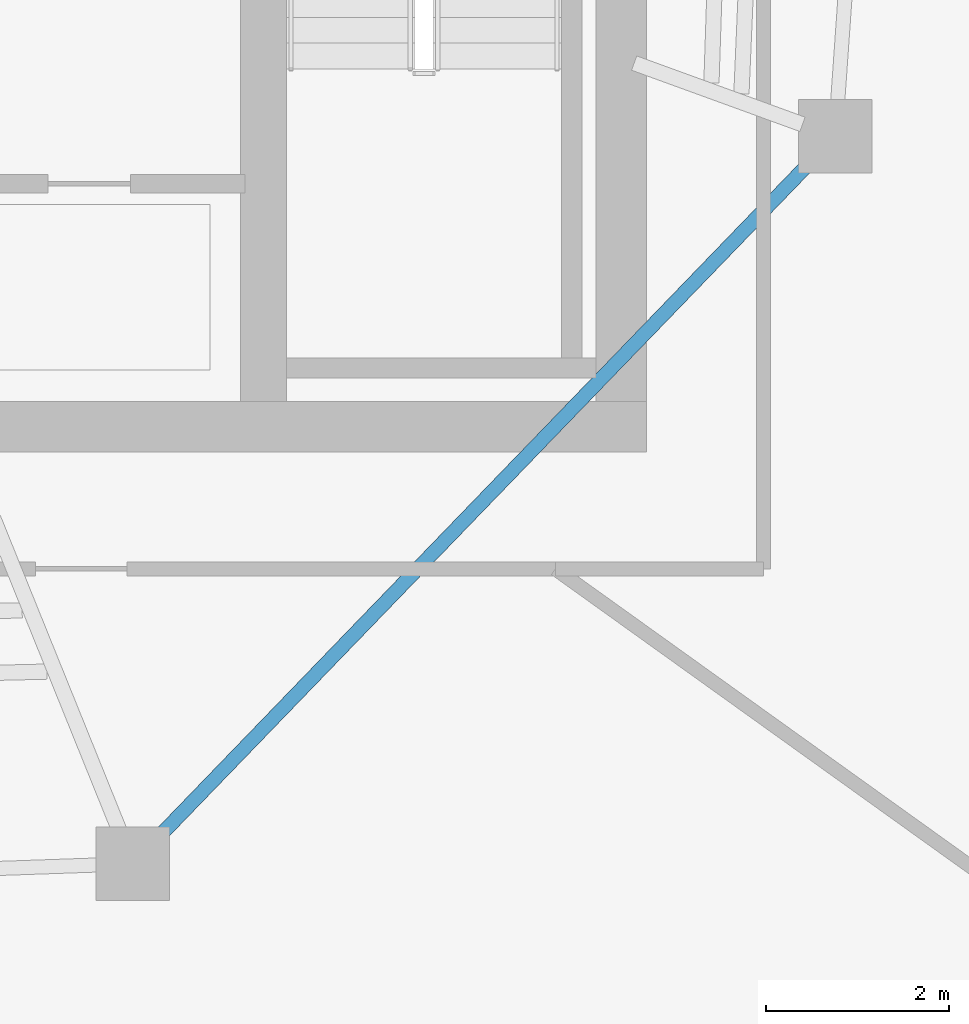
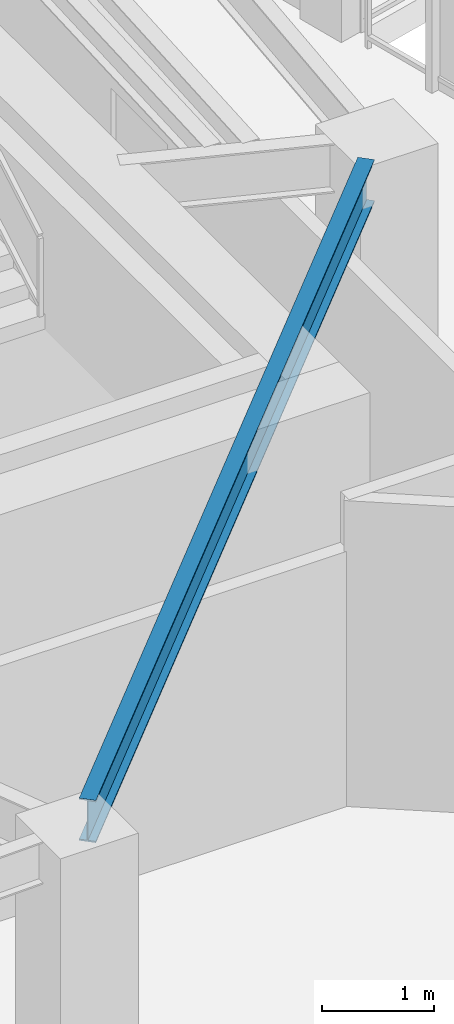
# One storey, part 5 of 19: 1 beam.
"""IFC4 building model written with IfcOpenShell, lengths in metres."""

from ifc_helpers import new_model, si_unit, direction, frame, origin, origin_2d, place, context, subcontext, project, spatial, i_section, extrude, material, material_profile, profile_set, type_object, element, save


model = new_model("IFC4")

# Units and contexts
model_context = context("Model", 3, precision=1e-05, world=origin(), true_north=direction((0.0, 1.0)))
body_context = subcontext(model_context, "Body", "Model", "MODEL_VIEW")
ifc_project = project(units=[si_unit("LENGTHUNIT", "METRE"), si_unit("AREAUNIT", "SQUARE_METRE"), si_unit("VOLUMEUNIT", "CUBIC_METRE"), si_unit("PLANEANGLEUNIT", "RADIAN"), si_unit("MASSUNIT", "GRAM", prefix="KILO")], contexts=[model_context])

# Site, building, storey
site_placement = place(None, origin())
site = spatial("IfcSite", under=ifc_project, at=site_placement, CompositionType="ELEMENT")
building_placement = place(site_placement, origin())
building = spatial("IfcBuilding", under=site, at=building_placement, Name="Qarnah Convention Tower", CompositionType="ELEMENT")
storey_placement = place(building_placement, frame((0.0, 0.0, 235.5)))
storey = spatial("IfcBuildingStorey", under=building, at=storey_placement, Name="L63", CompositionType="ELEMENT", Elevation=235.5)

# Beam
ifc_material = material(Name="Structural steel S355JR", Category="steel")
ifc_material_profile = material_profile(ifc_material, i_section(OverallWidth=0.154052734375, OverallDepth=0.4599609375, WebThickness=0.009033203125, FlangeThickness=0.014892578125, at=origin_2d()), Name="W460X68")
ifc_profile_set = profile_set([ifc_material_profile], Name="Structural steel S355JR")
beam_type = type_object("IfcBeamType", Name="BM-SPN-W460B", PredefinedType="SPANDREL", material=ifc_profile_set)
beam_placement = place(storey_placement, frame((42.547119140625, 14.117919921875, 3.090087890625), z_axis=(0.694687671008, 0.719311503974, 0.0), x_axis=(-0.719311503974, 0.694687671008, 0.0)))
element("IfcBeam", 1, at=beam_placement, inside=storey, type_object=beam_type, Name="L63 spandrel BM-L63-SPN-08", PredefinedType="SPANDREL", context=body_context, shape_type="SweptSolid", body=[
    extrude(i_section(OverallWidth=0.154052734375, OverallDepth=0.4599609375, WebThickness=0.009033203125, FlangeThickness=0.014892578125, at=origin_2d()), origin(), (0.0, 0.0, 1.0), 10.241943359375),
])

save(model, "model.ifc")
